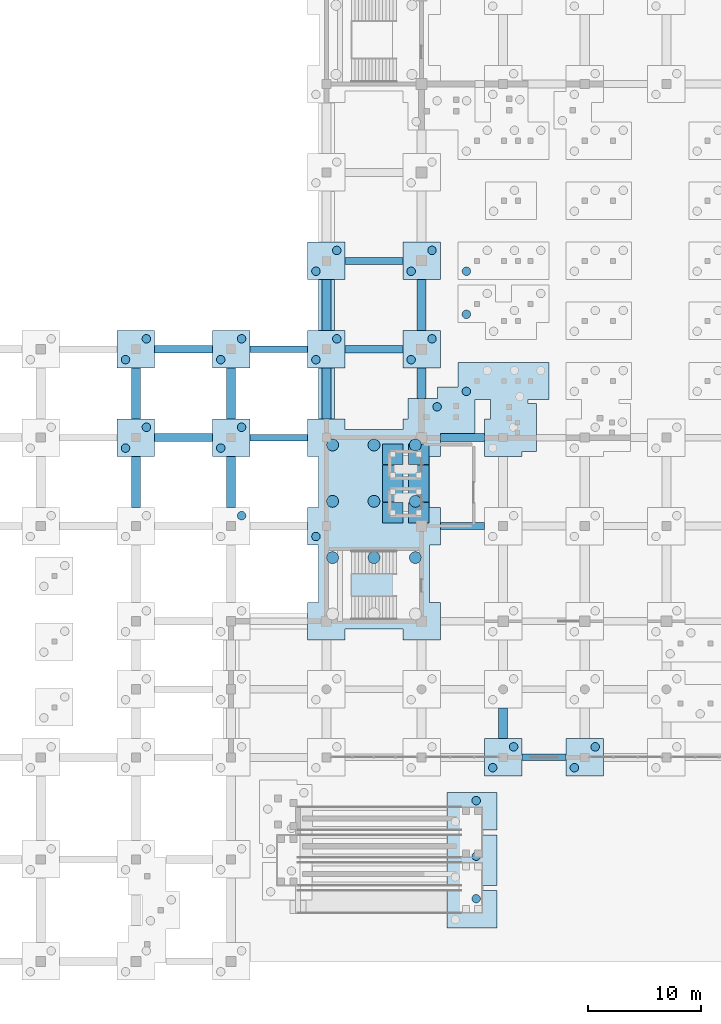
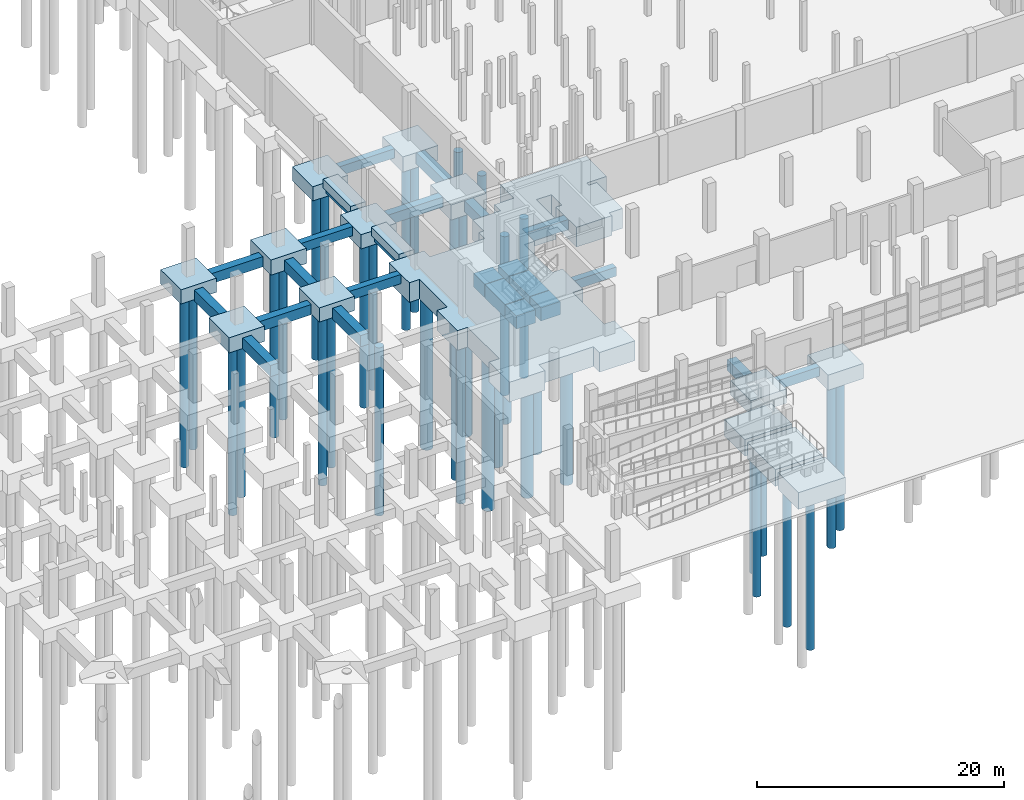
# One storey, part 4 of 42: 40 footings, 38 piles.
"""IFC4 building model written with IfcOpenShell, lengths in metres."""

import ifcopenshell
import ifcopenshell.guid

model = None  # the IFC model being written
_history = None  # IfcOwnerHistory: only IFC2X3 demands one
_inside = {}  # id of a spatial element -> (the spatial element, [elements in it])
_under = {}  # id of a project, library or spatial element -> (it, [spatial elements below it])
_declared = {}  # id of a project -> (the project, [libraries it declares])
_typed = {}  # id of a type object -> (the type object, [elements of that type])
_made_of = {}  # id of a material, layer set ... -> (it, [elements and type objects made of it])


def new_model(schema):
    """Start an empty IFC model of exactly this schema.

    Asked for "IFC4X3", IfcOpenShell would pick the latest addendum, in which some entities
    have other attributes; the version numbers below select the first issue.
    IFC2X3 requires an IfcOwnerHistory on every rooted entity: one is made here for all.
    """
    global model, _history
    if schema == "IFC4X3":
        model = ifcopenshell.file(schema_version=(4, 3, 0, 0))
    else:
        model = ifcopenshell.file(schema=schema)
    _inside.clear()
    _under.clear()
    _declared.clear()
    _typed.clear()
    _made_of.clear()
    _history = None
    if model.schema == "IFC2X3":
        org = make("IfcOrganization", Name="unknown")
        user = make(
            "IfcPersonAndOrganization",
            ThePerson=make("IfcPerson", FamilyName="unknown"),
            TheOrganization=org,
        )
        app = make(
            "IfcApplication",
            ApplicationDeveloper=org,
            Version="unknown",
            ApplicationFullName="unknown",
            ApplicationIdentifier="unknown",
        )
        _history = make(
            "IfcOwnerHistory",
            OwningUser=user,
            OwningApplication=app,
            ChangeAction="ADDED",
            CreationDate=0,
        )
    return model


def make(cls, **values):
    """One entity of the class cls with the attributes given. An attribute that is None is left unset."""
    return model.create_entity(
        cls, **{name: value for name, value in values.items() if value is not None}
    )


def rooted(cls, **values):
    """An entity with a GlobalId (a new one), such as an element, a storey or a relation."""
    return make(cls, GlobalId=ifcopenshell.guid.new(), OwnerHistory=_history, **values)


def si_unit(unit_type, name, prefix=None):
    """IfcSIUnit, for example si_unit("LENGTHUNIT", "METRE", prefix="MILLI")."""
    return make("IfcSIUnit", UnitType=unit_type, Prefix=prefix, Name=name)


def assignment(units):
    """IfcUnitAssignment: the units of a project."""
    return None if units is None else make("IfcUnitAssignment", Units=units)


def point(xyz):
    """IfcCartesianPoint."""
    return None if xyz is None else make("IfcCartesianPoint", Coordinates=xyz)


def direction(xyz):
    """IfcDirection."""
    return None if xyz is None else make("IfcDirection", DirectionRatios=xyz)


def frame(location, z_axis=None, x_axis=None):
    """IfcAxis2Placement3D, a coordinate frame: its origin and axes. An axis left out is left unset."""
    return make(
        "IfcAxis2Placement3D",
        Location=point(location),
        Axis=direction(z_axis),
        RefDirection=direction(x_axis),
    )


def frame_2d(location, x_axis=None):
    """IfcAxis2Placement2D, a coordinate frame in the plane: its origin and x axis."""
    return make(
        "IfcAxis2Placement2D", Location=point(location), RefDirection=direction(x_axis)
    )


def origin():
    """The frame at (0, 0, 0) with its axes left unset."""
    return frame((0.0, 0.0, 0.0))


def origin_2d():
    """The frame at (0, 0) in the plane with its x axis left unset."""
    return frame_2d((0.0, 0.0))


def place(relative_to, where):
    """IfcLocalPlacement: puts the frame where relative to a parent placement (None: the world)."""
    return make(
        "IfcLocalPlacement", PlacementRelTo=relative_to, RelativePlacement=where
    )


def context(
    kind, dimensions, precision=None, world=None, true_north=None, identifier=None
):
    """IfcGeometricRepresentationContext, for example the 3D "Model" context."""
    return make(
        "IfcGeometricRepresentationContext",
        ContextIdentifier=identifier,
        ContextType=kind,
        CoordinateSpaceDimension=dimensions,
        Precision=precision,
        WorldCoordinateSystem=world,
        TrueNorth=true_north,
    )


def subcontext(parent, identifier, kind, view, scale=None):
    """IfcGeometricRepresentationSubContext, for example "Body" below "Model"."""
    return make(
        "IfcGeometricRepresentationSubContext",
        ContextIdentifier=identifier,
        ContextType=kind,
        ParentContext=parent,
        TargetScale=scale,
        TargetView=view,
    )


def project(units=None, contexts=None):
    """IfcProject with its units and contexts."""
    return rooted(
        "IfcProject",
        Name="project",
        RepresentationContexts=contexts,
        UnitsInContext=assignment(units),
    )


def spatial(cls, under=None, at=None, **own):
    """A site, building, storey or space (cls), placed at a placement, below another one or the project."""
    s = rooted(cls, ObjectPlacement=at, **own)
    if under is not None:
        _under.setdefault(under.id(), (under, []))[1].append(s)
    return s


def polyline(points):
    """IfcPolyline through the points."""
    return make("IfcPolyline", Points=[point(p) for p in points])


def profile(cls, at=None, kind="AREA", **sizes):
    """A parametric profile (cls). Its sizes go by their IFC names, for example OverallWidth=200.0."""
    return make(cls, ProfileType=kind, Position=at, **sizes)


def rectangle(**sizes):
    """IfcRectangleProfileDef."""
    return profile("IfcRectangleProfileDef", **sizes)


def circle(**sizes):
    """IfcCircleProfileDef."""
    return profile("IfcCircleProfileDef", **sizes)


def outline(outer, holes=None, kind="AREA"):
    """IfcArbitraryClosedProfileDef: a profile drawn as a closed curve; with holes, ...WithVoids."""
    if holes is None:
        return make("IfcArbitraryClosedProfileDef", ProfileType=kind, OuterCurve=outer)
    return make(
        "IfcArbitraryProfileDefWithVoids",
        ProfileType=kind,
        OuterCurve=outer,
        InnerCurves=holes,
    )


def extrude(swept, where, along, depth):
    """IfcExtrudedAreaSolid: the profile swept, set in the frame where, extruded along a direction by depth."""
    return make(
        "IfcExtrudedAreaSolid",
        SweptArea=swept,
        Position=where,
        ExtrudedDirection=direction(along),
        Depth=depth,
    )


def shape(context_of_items, identifier, shape_type, items):
    """IfcShapeRepresentation: the items that make up one representation, for example the "Body"."""
    return make(
        "IfcShapeRepresentation",
        ContextOfItems=context_of_items,
        RepresentationIdentifier=identifier,
        RepresentationType=shape_type,
        Items=items,
    )


def material(Name=None, Category=None):
    """IfcMaterial."""
    return make("IfcMaterial", Name=Name, Category=Category)


def layer(
    of_material, thickness, ventilated=None, Name=None, Category=None, Priority=None
):
    """IfcMaterialLayer: one layer of a wall or slab, of a material (None: an air gap)."""
    return make(
        "IfcMaterialLayer",
        Material=of_material,
        LayerThickness=thickness,
        IsVentilated=ventilated,
        Name=Name,
        Category=Category,
        Priority=Priority,
    )


def layer_set(layers, Name=None):
    """IfcMaterialLayerSet."""
    return make("IfcMaterialLayerSet", MaterialLayers=layers, LayerSetName=Name)


def material_profile(
    of_material, cross_section, Name=None, Category=None, Priority=None
):
    """IfcMaterialProfile: a cross section and its material."""
    return make(
        "IfcMaterialProfile",
        Name=Name,
        Material=of_material,
        Profile=cross_section,
        Priority=Priority,
        Category=Category,
    )


def profile_set(profiles, Name=None, composite=None):
    """IfcMaterialProfileSet."""
    return make(
        "IfcMaterialProfileSet",
        Name=Name,
        MaterialProfiles=profiles,
        CompositeProfile=composite,
    )


def made_of(thing, what):
    """Note that an element or type object is made of a material, layer set ...; save() writes the relation."""
    if what is not None:
        _made_of.setdefault(what.id(), (what, []))[1].append(thing)
    return thing


def type_object(cls, material=None, **own):
    """A type object (cls), such as IfcWallType, which elements share."""
    return made_of(rooted(cls, **own), material)


def element(
    cls,
    number,
    at=None,
    inside=None,
    cuts=None,
    type_object=None,
    material=None,
    context=None,
    identifier="Body",
    shape_type=None,
    held_by="IfcProductDefinitionShape",
    body=None,
    shapes=None,
    **own,
):
    """One element of the class cls, such as IfcWall. Its Tag is "e" and its number.

    at: its placement. inside: the storey or other place that contains it. cuts: it is an
    opening in that element (IfcRelVoidsElement). A single representation is given by context,
    identifier, shape_type and body (its items); several are given by shapes. held_by: the class
    of the entity that holds the representations. save() writes the other relations.
    """
    e = rooted(cls, Tag="e%d" % number, ObjectPlacement=at, **own)
    if body is not None:
        shapes = [shape(context, identifier, shape_type, body)]
    if shapes is not None:
        e.Representation = make(held_by, Representations=shapes)
    if inside is not None:
        _inside.setdefault(inside.id(), (inside, []))[1].append(e)
    if cuts is not None:
        rooted(
            "IfcRelVoidsElement", RelatingBuildingElement=cuts, RelatedOpeningElement=e
        )
    if type_object is not None:
        _typed.setdefault(type_object.id(), (type_object, []))[1].append(e)
    return made_of(e, material)


def aggregate(whole, parts):
    """IfcRelAggregates: a whole, such as a stair, and the parts it consists of."""
    return rooted("IfcRelAggregates", RelatingObject=whole, RelatedObjects=parts)


def save(model, path):
    """Write the relations noted so far, then the file.

    IfcRelAggregates (storeys below a building ...), IfcRelContainedInSpatialStructure (elements
    in a storey), IfcRelDefinesByType, IfcRelAssociatesMaterial and IfcRelDeclares: one each for
    every whole, place, type object, material and project.
    """
    for whole, parts in _under.values():
        aggregate(whole, parts)
    for where, things in _inside.values():
        rooted(
            "IfcRelContainedInSpatialStructure",
            RelatedElements=things,
            RelatingStructure=where,
        )
    for kind, things in _typed.values():
        rooted("IfcRelDefinesByType", RelatedObjects=things, RelatingType=kind)
    for what, things in _made_of.values():
        rooted("IfcRelAssociatesMaterial", RelatedObjects=things, RelatingMaterial=what)
    for by, libraries in _declared.values():
        rooted("IfcRelDeclares", RelatingContext=by, RelatedDefinitions=libraries)
    model.write(path)


model = new_model("IFC4")

# Units and contexts
model_context = context("Model", 3, precision=1e-05, world=origin(), true_north=direction((0.0, 1.0)))
body_context = subcontext(model_context, "Body", "Model", "MODEL_VIEW")
ifc_project = project(units=[si_unit("LENGTHUNIT", "METRE"), si_unit("AREAUNIT", "SQUARE_METRE"), si_unit("VOLUMEUNIT", "CUBIC_METRE"), si_unit("PLANEANGLEUNIT", "RADIAN"), si_unit("MASSUNIT", "GRAM", prefix="KILO")], contexts=[model_context])

# Site, building, storey
site_placement = place(None, origin())
site = spatial("IfcSite", under=ifc_project, at=site_placement, CompositionType="ELEMENT")
building_placement = place(site_placement, origin())
building = spatial("IfcBuilding", under=site, at=building_placement, Name="Pellamere Symphony Hall", CompositionType="ELEMENT")
storey_placement = place(building_placement, frame((0.0, 0.0, -4.800048828125)))
storey = spatial("IfcBuildingStorey", under=building, at=storey_placement, Name="B1", CompositionType="ELEMENT", Elevation=-4.800048828125)

# Piles
ifc_material_1 = material(Name="Concrete 40 MPa", Category="concrete")
ifc_material_profile_1 = material_profile(ifc_material_1, circle(Radius=0.52490234375, at=origin_2d()), Name="PILE D1050")
ifc_profile_set_1 = profile_set([ifc_material_profile_1], Name="Concrete 40 MPa")
pile_type_1 = type_object("IfcPileType", Name="Bored Pile 1050mm Concrete 40 MPa", PredefinedType="BORED", material=ifc_profile_set_1)
for number, where, z_axis, x_axis, name in (
    (1, (50.949951171875, 35.616943359375, -2.300048828125), (0.0, 0.0, -1.0), (1.0, 0.0, 0.0), "Bored Pile BP-1050-P160"),
    (2, (50.949951171875, 40.5830078125, -2.300048828125), (0.0, 0.0, -1.0), (1.0, 0.0, 0.0), "Bored Pile BP-1050-P161"),
    (3, (50.949951171875, 45.550048828125, -2.300048828125), (0.0, 0.0, -1.0), (1.0, 0.0, 0.0), "Bored Pile BP-1050-P162"),
    (4, (54.60009765625, 35.616943359375, -2.300048828125), (0.0, 0.0, -1.0), (1.0, 0.0, 0.0), "Bored Pile BP-1050-P164"),
    (5, (54.60009765625, 40.5830078125, -2.300048828125), (0.0, 0.0, -1.0), (1.0, 0.0, 0.0), "Bored Pile BP-1050-P165"),
    (6, (54.60009765625, 45.550048828125, -2.300048828125), (0.0, 0.0, -1.0), (1.0, 0.0, 0.0), "Bored Pile BP-1050-P166"),
    (7, (58.25, 35.616943359375, -2.300048828125), (0.0, 0.0, -1.0), (1.0, 0.0, 0.0), "Bored Pile BP-1050-P168"),
    (8, (58.25, 40.5830078125, -2.300048828125), (0.0, 0.0, -1.0), (1.0, 0.0, 0.0), "Bored Pile BP-1050-P169"),
    (9, (58.25, 45.550048828125, -2.300048828125), (0.0, 0.0, -1.0), (1.0, 0.0, 0.0), "Bored Pile BP-1050-P170"),
):
    element("IfcPile", number, at=place(storey_placement, frame(where, z_axis=z_axis, x_axis=x_axis)), inside=storey, type_object=pile_type_1, Name=name, PredefinedType="BORED", context=body_context, shape_type="SweptSolid", body=[
        extrude(circle(Radius=0.52490234375, at=origin_2d()), origin(), (0.0, 0.0, 1.0), 15.699951171875),
    ])
ifc_material_2 = material(Name="Concrete 35 MPa", Category="concrete")
ifc_material_profile_2 = material_profile(ifc_material_2, circle(Radius=0.375, at=origin_2d()), Name="PILE D750")
ifc_profile_set_2 = profile_set([ifc_material_profile_2], Name="Concrete 35 MPa")
pile_type_2 = type_object("IfcPileType", Name="Bored Pile 750mm Concrete 35 MPa", PredefinedType="BORED", material=ifc_profile_set_2)
for number, where, z_axis, x_axis, name in (
    (10, (63.6201171875, 5.52001953125, -1.800048828125), (0.0, 0.0, -1.0), (1.0, 0.0, 0.0), "Bored Pile BP-750-P018"),
    (11, (63.6201171875, 9.27001953125, -1.800048828125), (0.0, 0.0, -1.0), (1.0, 0.0, 0.0), "Bored Pile BP-750-P026"),
    (12, (63.6201171875, 14.169921875, -1.800048828125), (0.0, 0.0, -1.0), (1.0, 0.0, 0.0), "Bored Pile BP-750-P048"),
):
    element("IfcPile", number, at=place(storey_placement, frame(where, z_axis=z_axis, x_axis=x_axis)), inside=storey, type_object=pile_type_2, Name=name, PredefinedType="BORED", context=body_context, shape_type="SweptSolid", body=[
        extrude(circle(Radius=0.375, at=origin_2d()), origin(), (0.0, 0.0, 1.0), 16.199951171875),
    ])
for number, where, z_axis, x_axis, name in (
    (13, (65.080078125, 17.080078125, -1.75), (0.0, 0.0, -1.0), (1.0, 0.0, 0.0), "Bored Pile BP-750-P067"),
    (14, (66.919921875, 18.919921875, -1.75), (0.0, 0.0, -1.0), (1.0, 0.0, 0.0), "Bored Pile BP-750-P068"),
):
    element("IfcPile", number, at=place(storey_placement, frame(where, z_axis=z_axis, x_axis=x_axis)), inside=storey, type_object=pile_type_2, Name=name, PredefinedType="BORED", context=body_context, shape_type="SweptSolid", body=[
        extrude(circle(Radius=0.375, at=origin_2d()), origin(), (0.0, 0.0, 1.0), 16.25),
    ])
for number, where, z_axis, x_axis, name in (
    (15, (72.280029296875, 17.080078125, -1.849853515625), (0.0, 0.0, -1.0), (1.0, 0.0, 0.0), "Bored Pile BP-750-P069"),
    (16, (74.1201171875, 18.919921875, -1.849853515625), (0.0, 0.0, -1.0), (1.0, 0.0, 0.0), "Bored Pile BP-750-P070"),
):
    element("IfcPile", number, at=place(storey_placement, frame(where, z_axis=z_axis, x_axis=x_axis)), inside=storey, type_object=pile_type_2, Name=name, PredefinedType="BORED", context=body_context, shape_type="SweptSolid", body=[
        extrude(circle(Radius=0.375, at=origin_2d()), origin(), (0.0, 0.0, 1.0), 16.14990234375),
    ])
for number, where, z_axis, x_axis, name in (
    (17, (49.47998046875, 37.47998046875, -2.300048828125), (0.0, 0.0, -1.0), (1.0, 0.0, 0.0), "Bored Pile BP-750-P171"),
    (18, (62.7548828125, 50.280029296875, -2.300048828125), (0.0, 0.0, -1.0), (1.0, 0.0, 0.0), "Bored Pile BP-750-P174"),
    (19, (60.169921875, 48.919921875, -2.300048828125), (0.0, 0.0, -1.0), (1.0, 0.0, 0.0), "Bored Pile BP-750-P178"),
):
    element("IfcPile", number, at=place(storey_placement, frame(where, z_axis=z_axis, x_axis=x_axis)), inside=storey, type_object=pile_type_2, Name=name, PredefinedType="BORED", context=body_context, shape_type="SweptSolid", body=[
        extrude(circle(Radius=0.375, at=origin_2d()), origin(), (0.0, 0.0, 1.0), 15.699951171875),
    ])
for number, where, z_axis, x_axis, name in (
    (20, (42.919921875, 39.320068359375, -1.39990234375), (0.0, 0.0, -1.0), (1.0, 0.0, 0.0), "Bored Pile BP-750-P234"),
    (21, (32.679931640625, 45.280029296875, -1.39990234375), (0.0, 0.0, -1.0), (1.0, 0.0, 0.0), "Bored Pile BP-750-P285"),
    (22, (34.52001953125, 47.1201171875, -1.39990234375), (0.0, 0.0, -1.0), (1.0, 0.0, 0.0), "Bored Pile BP-750-P286"),
):
    element("IfcPile", number, at=place(storey_placement, frame(where, z_axis=z_axis, x_axis=x_axis)), inside=storey, type_object=pile_type_2, Name=name, PredefinedType="BORED", context=body_context, shape_type="SweptSolid", body=[
        extrude(circle(Radius=0.375, at=origin_2d()), origin(), (0.0, 0.0, 1.0), 16.60009765625),
    ])
for number, where, z_axis, x_axis, name in (
    (23, (41.080078125, 45.280029296875, -1.300048828125), (0.0, 0.0, -1.0), (1.0, 0.0, 0.0), "Bored Pile BP-750-P287"),
    (24, (42.919921875, 47.1201171875, -1.300048828125), (0.0, 0.0, -1.0), (1.0, 0.0, 0.0), "Bored Pile BP-750-P288"),
    (25, (32.679931640625, 53.080078125, -1.300048828125), (0.0, 0.0, -1.0), (1.0, 0.0, 0.0), "Bored Pile BP-750-P325"),
    (26, (34.52001953125, 54.919921875, -1.300048828125), (0.0, 0.0, -1.0), (1.0, 0.0, 0.0), "Bored Pile BP-750-P326"),
):
    element("IfcPile", number, at=place(storey_placement, frame(where, z_axis=z_axis, x_axis=x_axis)), inside=storey, type_object=pile_type_2, Name=name, PredefinedType="BORED", context=body_context, shape_type="SweptSolid", body=[
        extrude(circle(Radius=0.375, at=origin_2d()), origin(), (0.0, 0.0, 1.0), 16.699951171875),
    ])
for number, where, z_axis, x_axis, name in (
    (27, (41.080078125, 53.080078125, -1.39990234375), (0.0, 0.0, -1.0), (1.0, 0.0, 0.0), "Bored Pile BP-750-P327"),
    (28, (42.919921875, 54.919921875, -1.39990234375), (0.0, 0.0, -1.0), (1.0, 0.0, 0.0), "Bored Pile BP-750-P328"),
):
    element("IfcPile", number, at=place(storey_placement, frame(where, z_axis=z_axis, x_axis=x_axis)), inside=storey, type_object=pile_type_2, Name=name, PredefinedType="BORED", context=body_context, shape_type="SweptSolid", body=[
        extrude(circle(Radius=0.375, at=origin_2d()), origin(), (0.0, 0.0, 1.0), 16.60009765625),
    ])
for number, where, z_axis, x_axis, name in (
    (29, (49.47998046875, 53.080078125, -1.75), (0.0, 0.0, -1.0), (1.0, 0.0, 0.0), "Bored Pile BP-750-P329"),
    (30, (51.320068359375, 54.919921875, -1.75), (0.0, 0.0, -1.0), (1.0, 0.0, 0.0), "Bored Pile BP-750-P330"),
):
    element("IfcPile", number, at=place(storey_placement, frame(where, z_axis=z_axis, x_axis=x_axis)), inside=storey, type_object=pile_type_2, Name=name, PredefinedType="BORED", context=body_context, shape_type="SweptSolid", body=[
        extrude(circle(Radius=0.375, at=origin_2d()), origin(), (0.0, 0.0, 1.0), 16.25),
    ])
for number, where, z_axis, x_axis, name in (
    (31, (57.8798828125, 53.080078125, -1.849853515625), (0.0, 0.0, -1.0), (1.0, 0.0, 0.0), "Bored Pile BP-750-P331"),
    (32, (59.719970703125, 54.919921875, -1.849853515625), (0.0, 0.0, -1.0), (1.0, 0.0, 0.0), "Bored Pile BP-750-P332"),
):
    element("IfcPile", number, at=place(storey_placement, frame(where, z_axis=z_axis, x_axis=x_axis)), inside=storey, type_object=pile_type_2, Name=name, PredefinedType="BORED", context=body_context, shape_type="SweptSolid", body=[
        extrude(circle(Radius=0.375, at=origin_2d()), origin(), (0.0, 0.0, 1.0), 16.14990234375),
    ])
pile_1_placement = place(storey_placement, frame((62.7548828125, 57.080078125, -2.14990234375), z_axis=(0.0, 0.0, -1.0), x_axis=(1.0, 0.0, 0.0)))
element("IfcPile", 33, at=pile_1_placement, inside=storey, type_object=pile_type_2, Name="Bored Pile BP-750-P345", PredefinedType="BORED", context=body_context, shape_type="SweptSolid", body=[
    extrude(circle(Radius=0.375, at=origin_2d()), origin(), (0.0, 0.0, 1.0), 15.85009765625),
])
for number, where, z_axis, x_axis, name in (
    (34, (49.47998046875, 60.8798828125, -1.75), (0.0, 0.0, -1.0), (1.0, 0.0, 0.0), "Bored Pile BP-750-P357"),
    (35, (51.320068359375, 62.719970703125, -1.75), (0.0, 0.0, -1.0), (1.0, 0.0, 0.0), "Bored Pile BP-750-P358"),
):
    element("IfcPile", number, at=place(storey_placement, frame(where, z_axis=z_axis, x_axis=x_axis)), inside=storey, type_object=pile_type_2, Name=name, PredefinedType="BORED", context=body_context, shape_type="SweptSolid", body=[
        extrude(circle(Radius=0.375, at=origin_2d()), origin(), (0.0, 0.0, 1.0), 16.25),
    ])
for number, where, z_axis, x_axis, name in (
    (36, (57.8798828125, 60.8798828125, -1.849853515625), (0.0, 0.0, -1.0), (1.0, 0.0, 0.0), "Bored Pile BP-750-P359"),
    (37, (59.719970703125, 62.719970703125, -1.849853515625), (0.0, 0.0, -1.0), (1.0, 0.0, 0.0), "Bored Pile BP-750-P360"),
):
    element("IfcPile", number, at=place(storey_placement, frame(where, z_axis=z_axis, x_axis=x_axis)), inside=storey, type_object=pile_type_2, Name=name, PredefinedType="BORED", context=body_context, shape_type="SweptSolid", body=[
        extrude(circle(Radius=0.375, at=origin_2d()), origin(), (0.0, 0.0, 1.0), 16.14990234375),
    ])
pile_2_placement = place(storey_placement, frame((62.7548828125, 60.8798828125, -2.14990234375), z_axis=(0.0, 0.0, -1.0), x_axis=(1.0, 0.0, 0.0)))
element("IfcPile", 38, at=pile_2_placement, inside=storey, type_object=pile_type_2, Name="Bored Pile BP-750-P361", PredefinedType="BORED", context=body_context, shape_type="SweptSolid", body=[
    extrude(circle(Radius=0.375, at=origin_2d()), origin(), (0.0, 0.0, 1.0), 15.85009765625),
])

# Footings
ifc_layer_1 = layer(ifc_material_1, 1.300048828125, Name="Concrete 40 MPa")
ifc_layer_set_1 = layer_set([ifc_layer_1], Name="Concrete 40 MPa")
footing_type_1 = type_object("IfcFootingType", Name="Concrete Pad Footing PF-01 1800x1800x1300", PredefinedType="PAD_FOOTING", material=ifc_layer_set_1)
footing_1_placement = place(storey_placement, frame((0.0, 0.0, -3.780029296875)))
element("IfcFooting", 39, at=footing_1_placement, inside=storey, type_object=footing_type_1, Name="Elevator Sub-Pit Pad Footing PF-01-215", PredefinedType="PAD_FOOTING", context=body_context, shape_type="SweptSolid", body=[
    extrude(outline(polyline([(55.35009765625, 38.675048828125), (55.35009765625, 40.47509765625), (57.14990234375, 40.47509765625), (57.14990234375, 38.675048828125), (55.35009765625, 38.675048828125)])), origin(), (0.0, 0.0, 1.0), 1.300048828125),
])
footing_2_placement = place(storey_placement, frame((0.0, 0.0, -3.780029296875)))
element("IfcFooting", 40, at=footing_2_placement, inside=storey, type_object=footing_type_1, Name="Elevator Sub-Pit Pad Footing PF-01-216", PredefinedType="PAD_FOOTING", context=body_context, shape_type="SweptSolid", body=[
    extrude(outline(polyline([(57.64990234375, 38.675048828125), (57.64990234375, 40.47509765625), (59.449951171875, 40.47509765625), (59.449951171875, 38.675048828125), (57.64990234375, 38.675048828125)])), origin(), (0.0, 0.0, 1.0), 1.300048828125),
])
footing_3_placement = place(storey_placement, frame((0.0, 0.0, -3.780029296875)))
element("IfcFooting", 41, at=footing_3_placement, inside=storey, type_object=footing_type_1, Name="Elevator Sub-Pit Pad Footing PF-01-217", PredefinedType="PAD_FOOTING", context=body_context, shape_type="SweptSolid", body=[
    extrude(outline(polyline([(55.35009765625, 40.52490234375), (55.35009765625, 41.97509765625), (55.35009765625, 42.324951171875), (55.35009765625, 43.77490234375), (57.14990234375, 43.77490234375), (57.14990234375, 42.324951171875), (57.14990234375, 41.97509765625), (57.14990234375, 40.52490234375), (55.35009765625, 40.52490234375)])), origin(), (0.0, 0.0, 1.0), 1.300048828125),
])
footing_4_placement = place(storey_placement, frame((0.0, 0.0, -3.780029296875)))
element("IfcFooting", 42, at=footing_4_placement, inside=storey, type_object=footing_type_1, Name="Elevator Sub-Pit Pad Footing PF-01-219", PredefinedType="PAD_FOOTING", context=body_context, shape_type="SweptSolid", body=[
    extrude(outline(polyline([(55.35009765625, 43.824951171875), (55.35009765625, 45.625), (57.14990234375, 45.625), (57.14990234375, 43.824951171875), (55.35009765625, 43.824951171875)])), origin(), (0.0, 0.0, 1.0), 1.300048828125),
])
ifc_material_profile_3 = material_profile(ifc_material_1, rectangle(XDim=0.60009765625, YDim=0.89990234375, at=origin_2d()), Name="RC 600x900")
ifc_profile_set_3 = profile_set([ifc_material_profile_3], Name="Concrete 40 MPa")
footing_type_2 = type_object("IfcFootingType", Name="Foundation FB-01 600x900", PredefinedType="FOOTING_BEAM", material=ifc_profile_set_3)
for number, where, z_axis, x_axis, name in (
    (43, (67.652099609375, 18.0, -0.89990234375), (1.0, 0.0, 0.0), (0.0, 1.0, 0.0), "Foundation Beam FB-01-074"),
    (44, (60.451904296875, 38.39990234375, -0.89990234375), (1.0, 0.0, 0.0), (0.0, 1.0, 0.0), "Foundation Beam FB-01-126"),
):
    element("IfcFooting", number, at=place(storey_placement, frame(where, z_axis=z_axis, x_axis=x_axis)), inside=storey, type_object=footing_type_2, Name=name, PredefinedType="FOOTING_BEAM", context=body_context, shape_type="SweptSolid", body=[
        extrude(rectangle(XDim=0.60009765625, YDim=0.89990234375, at=origin_2d()), origin(), (0.0, 0.0, 1.0), 3.89599609375),
    ])
for number, where, z_axis, x_axis, name in (
    (45, (43.652099609375, 46.199951171875, -0.89990234375), (1.0, 0.0, 0.0), (0.0, 1.0, 0.0), "Foundation Beam FB-01-142"),
    (46, (43.652099609375, 54.0, -0.89990234375), (1.0, 0.0, 0.0), (0.0, 1.0, 0.0), "Foundation Beam FB-01-160"),
    (47, (52.052001953125, 61.800048828125, -0.89990234375), (1.0, 0.0, 0.0), (0.0, 1.0, 0.0), "Foundation Beam FB-01-168"),
):
    element("IfcFooting", number, at=place(storey_placement, frame(where, z_axis=z_axis, x_axis=x_axis)), inside=storey, type_object=footing_type_2, Name=name, PredefinedType="FOOTING_BEAM", context=body_context, shape_type="SweptSolid", body=[
        extrude(rectangle(XDim=0.60009765625, YDim=0.89990234375, at=origin_2d()), origin(), (0.0, 0.0, 1.0), 5.095947265625),
    ])
ifc_material_profile_4 = material_profile(ifc_material_1, rectangle(XDim=0.699951171875, YDim=1.0, at=origin_2d()), Name="RC 700x1000")
ifc_profile_set_4 = profile_set([ifc_material_profile_4], Name="Concrete 40 MPa")
footing_type_3 = type_object("IfcFootingType", Name="Foundation FB-02 700x1000", PredefinedType="FOOTING_BEAM", material=ifc_profile_set_4)
footing_5_placement = place(storey_placement, frame((35.251953125, 46.199951171875, -0.949951171875), z_axis=(1.0, 0.0, 0.0), x_axis=(0.0, 1.0, 0.0)))
element("IfcFooting", 48, at=footing_5_placement, inside=storey, type_object=footing_type_3, Name="Foundation Beam FB-02-141", PredefinedType="FOOTING_BEAM", context=body_context, shape_type="SweptSolid", body=[
    extrude(rectangle(XDim=0.699951171875, YDim=1.0, at=origin_2d()), origin(), (0.0, 0.0, 1.0), 5.095947265625),
])
footing_6_placement = place(storey_placement, frame((60.451904296875, 46.199951171875, -0.949951171875), z_axis=(1.0, 0.0, 0.0), x_axis=(0.0, 1.0, 0.0)))
element("IfcFooting", 49, at=footing_6_placement, inside=storey, type_object=footing_type_3, Name="Foundation Beam FB-02-143", PredefinedType="FOOTING_BEAM", context=body_context, shape_type="SweptSolid", body=[
    extrude(rectangle(XDim=0.699951171875, YDim=1.0, at=origin_2d()), origin(), (0.0, 0.0, 1.0), 3.89599609375),
])
for number, where, z_axis, x_axis, name in (
    (50, (35.251953125, 54.0, -0.949951171875), (1.0, 0.0, 0.0), (0.0, 1.0, 0.0), "Foundation Beam FB-02-159"),
    (51, (52.052001953125, 54.0, -0.949951171875), (1.0, 0.0, 0.0), (0.0, 1.0, 0.0), "Foundation Beam FB-02-161"),
):
    element("IfcFooting", number, at=place(storey_placement, frame(where, z_axis=z_axis, x_axis=x_axis)), inside=storey, type_object=footing_type_3, Name=name, PredefinedType="FOOTING_BEAM", context=body_context, shape_type="SweptSolid", body=[
        extrude(rectangle(XDim=0.699951171875, YDim=1.0, at=origin_2d()), origin(), (0.0, 0.0, 1.0), 5.095947265625),
    ])
ifc_material_profile_5 = material_profile(ifc_material_1, rectangle(XDim=0.800048828125, YDim=1.10009765625, at=origin_2d()), Name="RC 800x1100")
ifc_profile_set_5 = profile_set([ifc_material_profile_5], Name="Concrete 40 MPa")
footing_type_4 = type_object("IfcFootingType", Name="Foundation FB-03 800x1100", PredefinedType="FOOTING_BEAM", material=ifc_profile_set_5)
footing_7_placement = place(storey_placement, frame((33.60009765625, 40.052001953125, -1.0), z_axis=(0.0, 1.0, 0.0), x_axis=(-1.0, 0.0, 0.0)))
element("IfcFooting", 52, at=footing_7_placement, inside=storey, type_object=footing_type_4, Name="Foundation Beam FB-03-257", PredefinedType="FOOTING_BEAM", context=body_context, shape_type="SweptSolid", body=[
    extrude(rectangle(XDim=0.800048828125, YDim=1.10009765625, at=origin_2d()), origin(), (0.0, 0.0, 1.0), 4.49609375),
])
footing_8_placement = place(storey_placement, frame((33.60009765625, 47.85205078125, -1.0), z_axis=(0.0, 1.0, 0.0), x_axis=(-1.0, 0.0, 0.0)))
element("IfcFooting", 53, at=footing_8_placement, inside=storey, type_object=footing_type_4, Name="Foundation Beam FB-03-258", PredefinedType="FOOTING_BEAM", context=body_context, shape_type="SweptSolid", body=[
    extrude(rectangle(XDim=0.800048828125, YDim=1.10009765625, at=origin_2d()), origin(), (0.0, 0.0, 1.0), 4.495849609375),
])
footing_9_placement = place(storey_placement, frame((42.0, 40.052001953125, -1.0), z_axis=(0.0, 1.0, 0.0), x_axis=(-1.0, 0.0, 0.0)))
element("IfcFooting", 54, at=footing_9_placement, inside=storey, type_object=footing_type_4, Name="Foundation Beam FB-03-264", PredefinedType="FOOTING_BEAM", context=body_context, shape_type="SweptSolid", body=[
    extrude(rectangle(XDim=0.800048828125, YDim=1.10009765625, at=origin_2d()), origin(), (0.0, 0.0, 1.0), 4.49609375),
])
for number, where, z_axis, x_axis, name in (
    (55, (42.0, 47.85205078125, -1.0), (0.0, 1.0, 0.0), (-1.0, 0.0, 0.0), "Foundation Beam FB-03-265"),
    (56, (50.39990234375, 47.85205078125, -1.0), (0.0, 1.0, 0.0), (-1.0, 0.0, 0.0), "Foundation Beam FB-03-268"),
    (57, (50.39990234375, 55.652099609375, -1.0), (0.0, 1.0, 0.0), (-1.0, 0.0, 0.0), "Foundation Beam FB-03-269"),
):
    element("IfcFooting", number, at=place(storey_placement, frame(where, z_axis=z_axis, x_axis=x_axis)), inside=storey, type_object=footing_type_4, Name=name, PredefinedType="FOOTING_BEAM", context=body_context, shape_type="SweptSolid", body=[
        extrude(rectangle(XDim=0.800048828125, YDim=1.10009765625, at=origin_2d()), origin(), (0.0, 0.0, 1.0), 4.495849609375),
    ])
footing_10_placement = place(storey_placement, frame((58.800048828125, 49.652099609375, -1.0), z_axis=(0.0, 1.0, 0.0), x_axis=(-1.0, 0.0, 0.0)))
element("IfcFooting", 58, at=footing_10_placement, inside=storey, type_object=footing_type_4, Name="Foundation Beam FB-03-276", PredefinedType="FOOTING_BEAM", context=body_context, shape_type="SweptSolid", body=[
    extrude(rectangle(XDim=0.800048828125, YDim=1.10009765625, at=origin_2d()), origin(), (0.0, 0.0, 1.0), 2.69580078125),
])
footing_11_placement = place(storey_placement, frame((58.800048828125, 55.652099609375, -1.0), z_axis=(0.0, 1.0, 0.0), x_axis=(-1.0, 0.0, 0.0)))
element("IfcFooting", 59, at=footing_11_placement, inside=storey, type_object=footing_type_4, Name="Foundation Beam FB-03-277", PredefinedType="FOOTING_BEAM", context=body_context, shape_type="SweptSolid", body=[
    extrude(rectangle(XDim=0.800048828125, YDim=1.10009765625, at=origin_2d()), origin(), (0.0, 0.0, 1.0), 4.495849609375),
])
footing_12_placement = place(storey_placement, frame((66.0, 19.652099609375, -1.0), z_axis=(0.0, 1.0, 0.0), x_axis=(-1.0, 0.0, 0.0)))
element("IfcFooting", 60, at=footing_12_placement, inside=storey, type_object=footing_type_4, Name="Foundation Beam FB-03-282", PredefinedType="FOOTING_BEAM", context=body_context, shape_type="SweptSolid", body=[
    extrude(rectangle(XDim=0.800048828125, YDim=1.10009765625, at=origin_2d()), origin(), (0.0, 0.0, 1.0), 2.69580078125),
])
ifc_material_profile_6 = material_profile(ifc_material_1, rectangle(XDim=1.39990234375, YDim=0.85009765625, at=origin_2d()), Name="RC 1400x850")
ifc_profile_set_6 = profile_set([ifc_material_profile_6], Name="Concrete 40 MPa")
footing_type_5 = type_object("IfcFootingType", Name="Foundation SF-02 1400x850", PredefinedType="STRIP_FOOTING", material=ifc_profile_set_6)
for number, where, z_axis, x_axis, name in (
    (61, (50.39990234375, 47.864990234375, -0.425048828125), (0.0, 1.0, 0.0), (-1.0, 0.0, 0.0), "Foundation Beam SF-02-004"),
    (62, (50.39990234375, 55.6650390625, -0.425048828125), (0.0, 1.0, 0.0), (-1.0, 0.0, 0.0), "Foundation Beam SF-02-005"),
):
    element("IfcFooting", number, at=place(storey_placement, frame(where, z_axis=z_axis, x_axis=x_axis)), inside=storey, type_object=footing_type_5, Name=name, PredefinedType="STRIP_FOOTING", context=body_context, shape_type="SweptSolid", body=[
        extrude(rectangle(XDim=1.39990234375, YDim=0.85009765625, at=origin_2d()), origin(), (0.0, 0.0, 1.0), 4.469970703125),
    ])
ifc_layer_2 = layer(ifc_material_1, 1.300048828125, Name="Concrete 40 MPa")
ifc_layer_set_2 = layer_set([ifc_layer_2], Name="Concrete 40 MPa")
footing_type_6 = type_object("IfcFootingType", Name="Pile Cap PC-01 1800x1800x1300", PredefinedType="PILE_CAP", material=ifc_layer_set_2)
footing_13_placement = place(storey_placement, frame((0.0, 0.0, -3.780029296875)))
element("IfcFooting", 63, at=footing_13_placement, inside=storey, type_object=footing_type_6, Name="Elevator Sub-Pit Pile Cap PC-01-218", PredefinedType="PILE_CAP", context=body_context, shape_type="SweptSolid", body=[
    extrude(outline(polyline([(57.64990234375, 40.52490234375), (57.64990234375, 41.97509765625), (57.64990234375, 42.324951171875), (57.64990234375, 43.77490234375), (59.449951171875, 43.77490234375), (59.449951171875, 42.324951171875), (59.449951171875, 41.97509765625), (59.449951171875, 40.52490234375), (57.64990234375, 40.52490234375)])), origin(), (0.0, 0.0, 1.0), 1.300048828125),
])
footing_14_placement = place(storey_placement, frame((0.0, 0.0, -3.780029296875)))
element("IfcFooting", 64, at=footing_14_placement, inside=storey, type_object=footing_type_6, Name="Elevator Sub-Pit Pile Cap PC-01-220", PredefinedType="PILE_CAP", context=body_context, shape_type="SweptSolid", body=[
    extrude(outline(polyline([(57.64990234375, 43.824951171875), (57.64990234375, 45.625), (59.449951171875, 45.625), (59.449951171875, 43.824951171875), (57.64990234375, 43.824951171875)])), origin(), (0.0, 0.0, 1.0), 1.300048828125),
])
ifc_layer_3 = layer(ifc_material_1, 1.39990234375, Name="Concrete 40 MPa")
ifc_layer_set_3 = layer_set([ifc_layer_3], Name="Concrete 40 MPa")
footing_type_7 = type_object("IfcFootingType", Name="Pile Cap PC-02 3300x3300x1400", PredefinedType="PILE_CAP", material=ifc_layer_set_3)
footing_15_placement = place(storey_placement, frame((0.0, 0.0, -1.849853515625)))
element("IfcFooting", 65, at=footing_15_placement, inside=storey, type_object=footing_type_7, Name="Pile Cap PC-02-030", PredefinedType="PILE_CAP", context=body_context, shape_type="SweptSolid", body=[
    extrude(outline(polyline([(64.35009765625, 16.35009765625), (64.35009765625, 19.64990234375), (67.64990234375, 19.64990234375), (67.64990234375, 16.35009765625), (64.35009765625, 16.35009765625)])), origin(), (0.0, 0.0, 1.0), 1.39990234375),
])
footing_16_placement = place(storey_placement, frame((0.0, 0.0, -1.39990234375)))
element("IfcFooting", 66, at=footing_16_placement, inside=storey, type_object=footing_type_7, Name="Pile Cap PC-02-106", PredefinedType="PILE_CAP", context=body_context, shape_type="SweptSolid", body=[
    extrude(outline(polyline([(40.35009765625, 44.550048828125), (40.35009765625, 47.85009765625), (43.64990234375, 47.85009765625), (43.64990234375, 44.550048828125), (40.35009765625, 44.550048828125)])), origin(), (0.0, 0.0, 1.0), 1.39990234375),
])
footing_17_placement = place(storey_placement, frame((0.0, 0.0, -1.39990234375)))
element("IfcFooting", 67, at=footing_17_placement, inside=storey, type_object=footing_type_7, Name="Pile Cap PC-02-120", PredefinedType="PILE_CAP", context=body_context, shape_type="SweptSolid", body=[
    extrude(outline(polyline([(35.25, 52.35009765625), (31.949951171875, 52.35009765625), (31.949951171875, 55.64990234375), (35.25, 55.64990234375), (35.25, 52.35009765625)])), origin(), (0.0, 0.0, 1.0), 1.39990234375),
])
footing_18_placement = place(storey_placement, frame((0.0, 0.0, -1.849853515625)))
element("IfcFooting", 68, at=footing_18_placement, inside=storey, type_object=footing_type_7, Name="Pile Cap PC-02-122", PredefinedType="PILE_CAP", context=body_context, shape_type="SweptSolid", body=[
    extrude(outline(polyline([(48.75, 52.35009765625), (48.75, 55.64990234375), (52.050048828125, 55.64990234375), (52.050048828125, 52.35009765625), (48.75, 52.35009765625)])), origin(), (0.0, 0.0, 1.0), 1.39990234375),
])
footing_19_placement = place(storey_placement, frame((0.0, 0.0, -1.849853515625)))
element("IfcFooting", 69, at=footing_19_placement, inside=storey, type_object=footing_type_7, Name="Pile Cap PC-02-134", PredefinedType="PILE_CAP", context=body_context, shape_type="SweptSolid", body=[
    extrude(outline(polyline([(48.75, 60.14990234375), (48.75, 63.449951171875), (52.050048828125, 63.449951171875), (52.050048828125, 60.14990234375), (48.75, 60.14990234375)])), origin(), (0.0, 0.0, 1.0), 1.39990234375),
])
ifc_layer_4 = layer(ifc_material_1, 1.5, Name="Concrete 40 MPa")
ifc_layer_set_4 = layer_set([ifc_layer_4], Name="Concrete 40 MPa")
footing_type_8 = type_object("IfcFootingType", Name="Pile Cap PC-03 3300x3300x1500", PredefinedType="PILE_CAP", material=ifc_layer_set_4)
footing_20_placement = place(storey_placement, frame((0.0, 0.0, -1.949951171875)))
element("IfcFooting", 70, at=footing_20_placement, inside=storey, type_object=footing_type_8, Name="Pile Cap PC-03-031", PredefinedType="PILE_CAP", context=body_context, shape_type="SweptSolid", body=[
    extrude(outline(polyline([(71.550048828125, 16.35009765625), (71.550048828125, 19.64990234375), (74.85009765625, 19.64990234375), (74.85009765625, 16.35009765625), (71.550048828125, 16.35009765625)])), origin(), (0.0, 0.0, 1.0), 1.5),
])
footing_21_placement = place(storey_placement, frame((0.0, 0.0, -1.5)))
element("IfcFooting", 71, at=footing_21_placement, inside=storey, type_object=footing_type_8, Name="Pile Cap PC-03-105", PredefinedType="PILE_CAP", context=body_context, shape_type="SweptSolid", body=[
    extrude(outline(polyline([(31.949951171875, 44.550048828125), (31.949951171875, 47.85009765625), (35.25, 47.85009765625), (35.25, 44.550048828125), (31.949951171875, 44.550048828125)])), origin(), (0.0, 0.0, 1.0), 1.5),
])
footing_22_placement = place(storey_placement, frame((0.0, 0.0, -1.5)))
element("IfcFooting", 72, at=footing_22_placement, inside=storey, type_object=footing_type_8, Name="Pile Cap PC-03-121", PredefinedType="PILE_CAP", context=body_context, shape_type="SweptSolid", body=[
    extrude(outline(polyline([(43.64990234375, 52.35009765625), (40.35009765625, 52.35009765625), (40.35009765625, 55.64990234375), (43.64990234375, 55.64990234375), (43.64990234375, 52.35009765625)])), origin(), (0.0, 0.0, 1.0), 1.5),
])
footing_23_placement = place(storey_placement, frame((0.0, 0.0, -1.949951171875)))
element("IfcFooting", 73, at=footing_23_placement, inside=storey, type_object=footing_type_8, Name="Pile Cap PC-03-123", PredefinedType="PILE_CAP", context=body_context, shape_type="SweptSolid", body=[
    extrude(outline(polyline([(57.14990234375, 52.35009765625), (57.14990234375, 55.64990234375), (60.449951171875, 55.64990234375), (60.449951171875, 52.35009765625), (57.14990234375, 52.35009765625)])), origin(), (0.0, 0.0, 1.0), 1.5),
])
footing_24_placement = place(storey_placement, frame((0.0, 0.0, -1.949951171875)))
element("IfcFooting", 74, at=footing_24_placement, inside=storey, type_object=footing_type_8, Name="Pile Cap PC-03-135", PredefinedType="PILE_CAP", context=body_context, shape_type="SweptSolid", body=[
    extrude(outline(polyline([(57.14990234375, 60.14990234375), (57.14990234375, 63.449951171875), (60.449951171875, 63.449951171875), (60.449951171875, 60.14990234375), (57.14990234375, 60.14990234375)])), origin(), (0.0, 0.0, 1.0), 1.5),
])
ifc_layer_5 = layer(ifc_material_1, 1.64990234375, Name="Concrete 40 MPa")
ifc_layer_set_5 = layer_set([ifc_layer_5], Name="Concrete 40 MPa")
footing_type_9 = type_object("IfcFootingType", Name="Pile Cap PC-05 4400x3300x1650", PredefinedType="PILE_CAP", material=ifc_layer_set_5)
footing_25_placement = place(storey_placement, frame((0.0, 0.0, -1.89990234375)))
element("IfcFooting", 75, at=footing_25_placement, inside=storey, type_object=footing_type_9, Name="Pile Cap PC-05-007", PredefinedType="PILE_CAP", context=body_context, shape_type="SweptSolid", body=[
    extrude(outline(polyline([(61.050048828125, 2.949951171875), (61.050048828125, 6.25), (65.449951171875, 6.25), (65.449951171875, 2.949951171875), (61.050048828125, 2.949951171875)])), origin(), (0.0, 0.0, 1.0), 1.64990234375),
])
footing_26_placement = place(storey_placement, frame((0.0, 0.0, -1.89990234375)))
element("IfcFooting", 76, at=footing_26_placement, inside=storey, type_object=footing_type_9, Name="Pile Cap PC-05-011", PredefinedType="PILE_CAP", context=body_context, shape_type="SweptSolid", body=[
    extrude(outline(polyline([(65.449951171875, 11.14990234375), (65.449951171875, 6.699951171875), (61.050048828125, 6.699951171875), (61.050048828125, 11.14990234375), (65.449951171875, 11.14990234375)])), origin(), (0.0, 0.0, 1.0), 1.64990234375),
])
footing_27_placement = place(storey_placement, frame((0.0, 0.0, -1.89990234375)))
element("IfcFooting", 77, at=footing_27_placement, inside=storey, type_object=footing_type_9, Name="Pile Cap PC-05-020", PredefinedType="PILE_CAP", context=body_context, shape_type="SweptSolid", body=[
    extrude(outline(polyline([(61.050048828125, 11.60009765625), (61.050048828125, 14.89990234375), (65.449951171875, 14.89990234375), (65.449951171875, 11.60009765625), (61.050048828125, 11.60009765625)])), origin(), (0.0, 0.0, 1.0), 1.64990234375),
])
ifc_material_3 = material(Name="Concrete 50 MPa", Category="concrete")
ifc_layer_6 = layer(ifc_material_3, 1.949951171875, Name="Concrete 50 MPa")
ifc_layer_set_6 = layer_set([ifc_layer_6], Name="Concrete 50 MPa")
footing_type_10 = type_object("IfcFootingType", Name="Pile Cap PC-12 21300x24500x1950", PredefinedType="PILE_CAP", material=ifc_layer_set_6)
footing_28_placement = place(storey_placement, frame((0.0, 0.0, -2.39990234375)))
element("IfcFooting", 78, at=footing_28_placement, inside=storey, type_object=footing_type_10, Name="Pile Cap PC-12-071", PredefinedType="PILE_CAP", context=body_context, shape_type="SweptSolid", body=[
    extrude(outline(polyline([(52.050048828125, 28.35009765625), (48.75, 28.35009765625), (48.75, 31.64990234375), (49.699951171875, 31.64990234375), (49.699951171875, 36.75), (48.75, 36.75), (48.75, 40.050048828125), (49.699951171875, 40.050048828125), (49.699951171875, 44.550048828125), (48.75, 44.550048828125), (48.75, 47.85009765625), (52.050048828125, 47.85009765625), (52.050048828125, 46.89990234375), (57.14990234375, 46.89990234375), (57.14990234375, 47.85009765625), (57.60009765625, 47.85009765625), (57.60009765625, 49.64990234375), (60.199951171875, 49.64990234375), (60.199951171875, 50.64990234375), (62.02490234375, 50.64990234375), (62.02490234375, 52.85009765625), (70.050048828125, 52.85009765625), (70.050048828125, 49.550048828125), (68.199951171875, 49.550048828125), (68.199951171875, 49.199951171875), (68.925048828125, 49.199951171875), (68.925048828125, 45.0), (67.64990234375, 45.0), (67.64990234375, 44.550048828125), (64.35009765625, 44.550048828125), (64.35009765625, 47.85009765625), (64.89990234375, 47.85009765625), (64.89990234375, 49.550048828125), (63.5, 49.550048828125), (63.5, 46.35009765625), (60.449951171875, 46.35009765625), (60.449951171875, 44.550048828125), (59.5, 44.550048828125), (59.5, 40.050048828125), (60.449951171875, 40.050048828125), (60.449951171875, 36.75), (59.5, 36.75), (59.5, 31.64990234375), (60.449951171875, 31.64990234375), (60.449951171875, 28.35009765625), (57.14990234375, 28.35009765625), (57.14990234375, 29.300048828125), (52.050048828125, 29.300048828125), (52.050048828125, 28.35009765625)])), origin(), (0.0, 0.0, 1.0), 1.949951171875),
])

save(model, "model.ifc")
